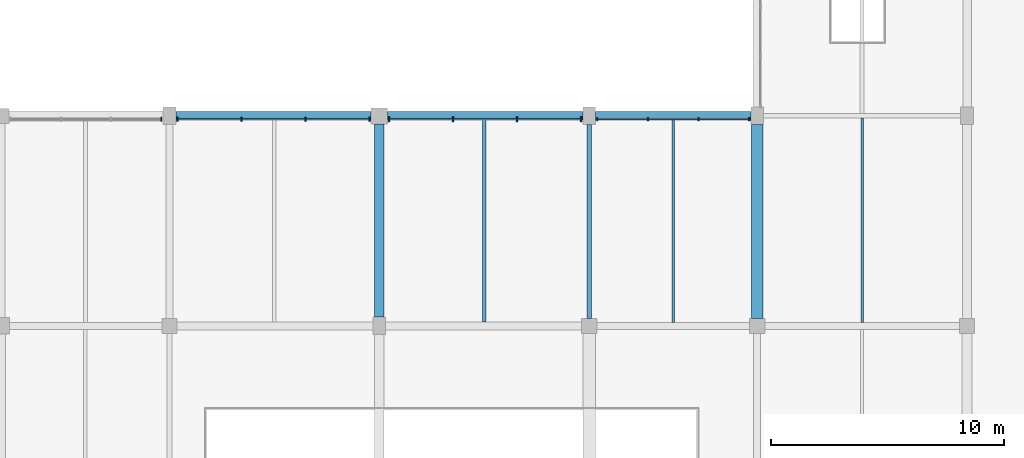
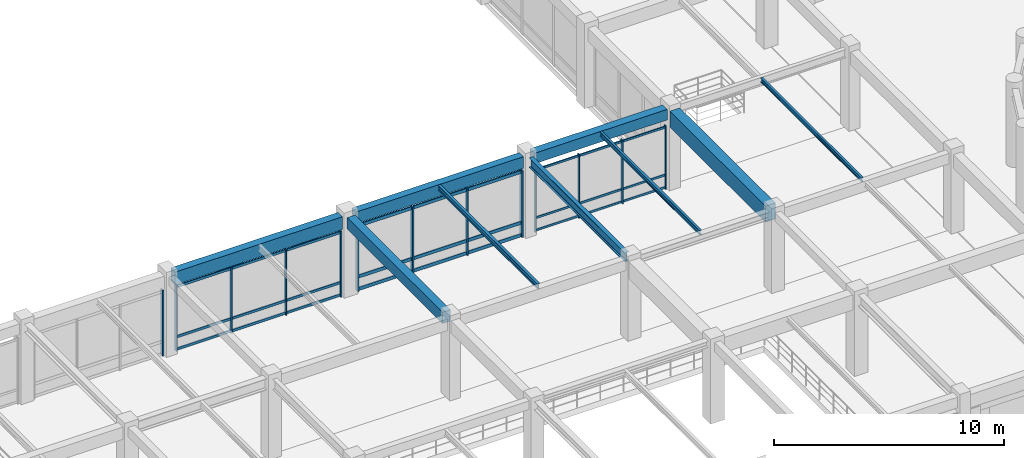
# One storey, part 13 of 62: 40 members, 9 beams, 4 elements without a shape of their own.
"""IFC4 building model written with IfcOpenShell, lengths in metres."""

from ifc_helpers import new_model, si_unit, direction, frame, origin, origin_2d, place, context, subcontext, project, spatial, rectangle, i_section, extrude, material, material_profile, profile_set, type_object, element, aggregate, save


model = new_model("IFC4")

# Units and contexts
model_context = context("Model", 3, precision=1e-05, world=origin(), true_north=direction((0.0, 1.0)))
body_context = subcontext(model_context, "Body", "Model", "MODEL_VIEW")
ifc_project = project(units=[si_unit("LENGTHUNIT", "METRE"), si_unit("AREAUNIT", "SQUARE_METRE"), si_unit("VOLUMEUNIT", "CUBIC_METRE"), si_unit("PLANEANGLEUNIT", "RADIAN"), si_unit("MASSUNIT", "GRAM", prefix="KILO")], contexts=[model_context])

# Site, building, storey
site_placement = place(None, origin())
site = spatial("IfcSite", under=ifc_project, at=site_placement, CompositionType="ELEMENT")
building_placement = place(site_placement, origin())
building = spatial("IfcBuilding", under=site, at=building_placement, Name="Clarverna Civic Hall", CompositionType="ELEMENT")
storey_placement = place(building_placement, frame((0.0, 0.0, 5.10009765625)))
storey = spatial("IfcBuildingStorey", under=building, at=storey_placement, Name="L01", CompositionType="ELEMENT", Elevation=5.10009765625)

# Beams
ifc_material_1 = material(Name="Concrete C35/45", Category="concrete")
ifc_material_profile_1 = material_profile(ifc_material_1, rectangle(XDim=0.5, YDim=0.85009765625, at=origin_2d()), Name="RC 500x850")
ifc_profile_set_1 = profile_set([ifc_material_profile_1], Name="Concrete C35/45")
beam_type_1 = type_object("IfcBeamType", Name="B-RC1", PredefinedType="BEAM", material=ifc_profile_set_1)
beam_1_placement = place(storey_placement, frame((57.60009765625, 62.925048828125, 3.794921875), z_axis=(0.0, 1.0, 0.0), x_axis=(-1.0, 0.0, 0.0)))
element("IfcBeam", 1, at=beam_1_placement, inside=storey, type_object=beam_type_1, Name="B-RC1-019", PredefinedType="BEAM", context=body_context, shape_type="SweptSolid", body=[
    extrude(rectangle(XDim=0.5, YDim=0.85009765625, at=origin_2d()), origin(), (0.0, 0.0, 1.0), 8.300048828125),
])
ifc_material_profile_2 = material_profile(ifc_material_1, rectangle(XDim=0.39990234375, YDim=0.60009765625, at=origin_2d()), Name="RC 400x600")
ifc_profile_set_2 = profile_set([ifc_material_profile_2], Name="Concrete C35/45")
beam_type_2 = type_object("IfcBeamType", Name="B-RC7", PredefinedType="BEAM", material=ifc_profile_set_2)
beam_2_placement = place(storey_placement, frame((41.39990234375, 62.97509765625, 3.919921875), z_axis=(0.0, 1.0, 0.0), x_axis=(-1.0, 0.0, 0.0)))
element("IfcBeam", 2, at=beam_2_placement, inside=storey, type_object=beam_type_2, Name="B-RC7-024", PredefinedType="BEAM", context=body_context, shape_type="SweptSolid", body=[
    extrude(rectangle(XDim=0.39990234375, YDim=0.60009765625, at=origin_2d()), origin(), (0.0, 0.0, 1.0), 8.27490234375),
])
ifc_material_profile_3 = material_profile(ifc_material_1, rectangle(XDim=0.3798828125, YDim=0.679931640625, at=origin_2d()), Name="RC 380x680")
ifc_profile_set_3 = profile_set([ifc_material_profile_3], Name="Concrete C35/45")
beam_type_3 = type_object("IfcBeamType", Name="B-SP2", PredefinedType="SPANDREL", material=ifc_profile_set_3)
beam_3_placement = place(storey_placement, frame((32.675048828125, 71.60009765625, 3.8798828125), z_axis=(1.0, 0.0, 0.0), x_axis=(0.0, 1.0, 0.0)))
element("IfcBeam", 3, at=beam_3_placement, inside=storey, type_object=beam_type_3, Name="B-SP2-060", PredefinedType="SPANDREL", context=body_context, shape_type="SweptSolid", body=[
    extrude(rectangle(XDim=0.3798828125, YDim=0.679931640625, at=origin_2d()), origin(), (0.0, 0.0, 1.0), 8.375),
])
ifc_material_profile_4 = material_profile(ifc_material_1, rectangle(XDim=0.360107421875, YDim=0.6201171875, at=origin_2d()), Name="RC 360x620")
ifc_profile_set_4 = profile_set([ifc_material_profile_4], Name="Concrete C35/45")
beam_type_4 = type_object("IfcBeamType", Name="B-SP3", PredefinedType="SPANDREL", material=ifc_profile_set_4)
beam_4_placement = place(storey_placement, frame((41.75, 71.60009765625, 3.909912109375), z_axis=(1.0, 0.0, 0.0), x_axis=(0.0, 1.0, 0.0)))
element("IfcBeam", 4, at=beam_4_placement, inside=storey, type_object=beam_type_4, Name="B-SP3-061", PredefinedType="SPANDREL", context=body_context, shape_type="SweptSolid", body=[
    extrude(rectangle(XDim=0.360107421875, YDim=0.6201171875, at=origin_2d()), origin(), (0.0, 0.0, 1.0), 8.375),
])
ifc_material_profile_5 = material_profile(ifc_material_1, rectangle(XDim=0.39990234375, YDim=0.56005859375, at=origin_2d()), Name="RC 400x560")
ifc_profile_set_5 = profile_set([ifc_material_profile_5], Name="Concrete C35/45")
beam_type_5 = type_object("IfcBeamType", Name="B-SP4", PredefinedType="SPANDREL", material=ifc_profile_set_5)
beam_5_placement = place(storey_placement, frame((50.675048828125, 71.60009765625, 3.93994140625), z_axis=(1.0, 0.0, 0.0), x_axis=(0.0, 1.0, 0.0)))
element("IfcBeam", 5, at=beam_5_placement, inside=storey, type_object=beam_type_5, Name="B-SP4-058", PredefinedType="SPANDREL", context=body_context, shape_type="SweptSolid", body=[
    extrude(rectangle(XDim=0.39990234375, YDim=0.56005859375, at=origin_2d()), origin(), (0.0, 0.0, 1.0), 6.64990234375),
])
ifc_material_2 = material(Name="Steel S355", Category="steel")
ifc_material_profile_6 = material_profile(ifc_material_2, i_section(OverallWidth=0.199951171875, OverallDepth=0.5, WebThickness=0.01025390625, FlangeThickness=0.01611328125, FilletRadius=0.02099609375, at=origin_2d()), Name="IPE 500")
ifc_profile_set_6 = profile_set([ifc_material_profile_6], Name="Steel S355")
beam_type_6 = type_object("IfcBeamType", Name="B-ST12", PredefinedType="BEAM", material=ifc_profile_set_6)
beam_6_placement = place(storey_placement, frame((50.39990234375, 62.925048828125, 3.969970703125), z_axis=(0.0, 1.0, 0.0), x_axis=(-1.0, 0.0, 0.0)))
element("IfcBeam", 6, at=beam_6_placement, inside=storey, type_object=beam_type_6, Name="B-ST12-008", PredefinedType="BEAM", context=body_context, shape_type="SweptSolid", body=[
    extrude(i_section(OverallWidth=0.199951171875, OverallDepth=0.5, WebThickness=0.01025390625, FlangeThickness=0.01611328125, FilletRadius=0.02099609375, at=origin_2d()), origin(), (0.0, 0.0, 1.0), 8.300048828125),
])

# Curtain wall, member
ifc_material_3 = material(Name="Anodised Bronze Architectural Aluminium", Category="aluminium")
curtain_wall_type = type_object("IfcCurtainWallType", Name="CW-04", PredefinedType="USERDEFINED", material=ifc_material_3)
curtain_wall_1_placement = place(storey_placement, origin())
curtain_wall_1 = element("IfcCurtainWall", 7, at=curtain_wall_1_placement, inside=storey, type_object=curtain_wall_type, Name="CW-04-019", ObjectType="UNITISED CURTAIN WALL", PredefinedType="USERDEFINED")
ifc_material_profile_7 = material_profile(ifc_material_3, rectangle(XDim=0.06005859375, YDim=0.179931640625, at=origin_2d()), Name="BRONZE 60x180")
ifc_profile_set_7 = profile_set([ifc_material_profile_7], Name="Anodised Bronze Architectural Aluminium")
member_type_1 = type_object("IfcMemberType", Name="CWM-01", PredefinedType="MULLION", material=ifc_profile_set_7)
member_1_placement = place(storey_placement, frame((32.052001953125, 71.4599609375, 0.0), z_axis=(0.0, 0.0, 1.0), x_axis=(1.0, 0.0, 0.0)))
member_1 = element("IfcMember", 8, at=member_1_placement, type_object=member_type_1, Name="CWM-01-062", PredefinedType="MULLION", context=body_context, shape_type="SweptSolid", body=[
    extrude(rectangle(XDim=0.06005859375, YDim=0.179931640625, at=origin_2d()), origin(), (0.0, 0.0, 1.0), 3.5),
])
aggregate(curtain_wall_1, [member_1])

# Curtain wall, members
curtain_wall_2_placement = place(storey_placement, origin())
curtain_wall_2 = element("IfcCurtainWall", 9, at=curtain_wall_2_placement, inside=storey, type_object=curtain_wall_type, Name="CW-04-020", ObjectType="UNITISED CURTAIN WALL", PredefinedType="USERDEFINED")
ifc_material_profile_8 = material_profile(ifc_material_3, rectangle(XDim=0.06005859375, YDim=0.159912109375, at=origin_2d()), Name="BRONZE 60x160")
ifc_profile_set_8 = profile_set([ifc_material_profile_8], Name="Anodised Bronze Architectural Aluminium")
member_type_2 = type_object("IfcMemberType", Name="CWM-02", PredefinedType="MULLION", material=ifc_profile_set_8)
member_2_placement = place(storey_placement, frame((32.748046875, 71.4599609375, 0.0), z_axis=(0.0, 0.0, 1.0), x_axis=(1.0, 0.0, 0.0)))
member_2 = element("IfcMember", 10, at=member_2_placement, type_object=member_type_2, Name="CWM-02-071", PredefinedType="MULLION", context=body_context, shape_type="SweptSolid", body=[
    extrude(rectangle(XDim=0.06005859375, YDim=0.159912109375, at=origin_2d()), origin(), (0.0, 0.0, 1.0), 3.5),
])
member_3_placement = place(storey_placement, frame((35.490966796875, 71.4599609375, 0.0), z_axis=(0.0, 0.0, 1.0), x_axis=(1.0, 0.0, 0.0)))
member_3 = element("IfcMember", 11, at=member_3_placement, type_object=member_type_2, Name="CWM-02-072", PredefinedType="MULLION", context=body_context, shape_type="SweptSolid", body=[
    extrude(rectangle(XDim=0.06005859375, YDim=0.159912109375, at=origin_2d()), origin(), (0.0, 0.0, 1.0), 3.5),
])
member_4_placement = place(storey_placement, frame((38.23388671875, 71.4599609375, 0.0), z_axis=(0.0, 0.0, 1.0), x_axis=(1.0, 0.0, 0.0)))
member_4 = element("IfcMember", 12, at=member_4_placement, type_object=member_type_2, Name="CWM-02-073", PredefinedType="MULLION", context=body_context, shape_type="SweptSolid", body=[
    extrude(rectangle(XDim=0.06005859375, YDim=0.159912109375, at=origin_2d()), origin(), (0.0, 0.0, 1.0), 3.5),
])
member_5_placement = place(storey_placement, frame((40.97705078125, 71.4599609375, 0.0), z_axis=(0.0, 0.0, 1.0), x_axis=(1.0, 0.0, 0.0)))
member_5 = element("IfcMember", 13, at=member_5_placement, type_object=member_type_2, Name="CWM-02-074", PredefinedType="MULLION", context=body_context, shape_type="SweptSolid", body=[
    extrude(rectangle(XDim=0.06005859375, YDim=0.159912109375, at=origin_2d()), origin(), (0.0, 0.0, 1.0), 3.5),
])

curtain_wall_3_placement = place(storey_placement, origin())
curtain_wall_3 = element("IfcCurtainWall", 14, at=curtain_wall_3_placement, inside=storey, type_object=curtain_wall_type, Name="CW-04-021", ObjectType="UNITISED CURTAIN WALL", PredefinedType="USERDEFINED")
ifc_material_profile_9 = material_profile(ifc_material_3, rectangle(XDim=0.06494140625, YDim=0.199951171875, at=origin_2d()), Name="BRONZE 65x200")
ifc_profile_set_9 = profile_set([ifc_material_profile_9], Name="Anodised Bronze Architectural Aluminium")
member_type_3 = type_object("IfcMemberType", Name="CWM-03", PredefinedType="MULLION", material=ifc_profile_set_9)
member_6_placement = place(storey_placement, frame((41.822998046875, 71.4599609375, 0.0), z_axis=(0.0, 0.0, 1.0), x_axis=(1.0, 0.0, 0.0)))
member_6 = element("IfcMember", 15, at=member_6_placement, type_object=member_type_3, Name="CWM-03-059", PredefinedType="MULLION", context=body_context, shape_type="SweptSolid", body=[
    extrude(rectangle(XDim=0.06494140625, YDim=0.199951171875, at=origin_2d()), origin(), (0.0, 0.0, 1.0), 3.539794921875),
])
member_7_placement = place(storey_placement, frame((44.56591796875, 71.4599609375, 0.0), z_axis=(0.0, 0.0, 1.0), x_axis=(1.0, 0.0, 0.0)))
member_7 = element("IfcMember", 16, at=member_7_placement, type_object=member_type_3, Name="CWM-03-060", PredefinedType="MULLION", context=body_context, shape_type="SweptSolid", body=[
    extrude(rectangle(XDim=0.06494140625, YDim=0.199951171875, at=origin_2d()), origin(), (0.0, 0.0, 1.0), 3.539794921875),
])
member_8_placement = place(storey_placement, frame((47.30908203125, 71.4599609375, 0.0), z_axis=(0.0, 0.0, 1.0), x_axis=(1.0, 0.0, 0.0)))
member_8 = element("IfcMember", 17, at=member_8_placement, type_object=member_type_3, Name="CWM-03-061", PredefinedType="MULLION", context=body_context, shape_type="SweptSolid", body=[
    extrude(rectangle(XDim=0.06494140625, YDim=0.199951171875, at=origin_2d()), origin(), (0.0, 0.0, 1.0), 3.539794921875),
])
member_9_placement = place(storey_placement, frame((50.052001953125, 71.4599609375, 0.0), z_axis=(0.0, 0.0, 1.0), x_axis=(1.0, 0.0, 0.0)))
member_9 = element("IfcMember", 18, at=member_9_placement, type_object=member_type_3, Name="CWM-03-062", PredefinedType="MULLION", context=body_context, shape_type="SweptSolid", body=[
    extrude(rectangle(XDim=0.06494140625, YDim=0.199951171875, at=origin_2d()), origin(), (0.0, 0.0, 1.0), 3.539794921875),
])

curtain_wall_4_placement = place(storey_placement, origin())
curtain_wall_4 = element("IfcCurtainWall", 19, at=curtain_wall_4_placement, inside=storey, type_object=curtain_wall_type, Name="CW-04-022", ObjectType="UNITISED CURTAIN WALL", PredefinedType="USERDEFINED")
ifc_material_profile_10 = material_profile(ifc_material_3, rectangle(XDim=0.054931640625, YDim=0.139892578125, at=origin_2d()), Name="BRONZE 55x140")
ifc_profile_set_10 = profile_set([ifc_material_profile_10], Name="Anodised Bronze Architectural Aluminium")
member_type_4 = type_object("IfcMemberType", Name="CWM-04", PredefinedType="MULLION", material=ifc_profile_set_10)
member_10_placement = place(storey_placement, frame((50.748046875, 71.4599609375, 0.0), z_axis=(0.0, 0.0, 1.0), x_axis=(1.0, 0.0, 0.0)))
member_10 = element("IfcMember", 20, at=member_10_placement, type_object=member_type_4, Name="CWM-04-073", PredefinedType="MULLION", context=body_context, shape_type="SweptSolid", body=[
    extrude(rectangle(XDim=0.054931640625, YDim=0.139892578125, at=origin_2d()), origin(), (0.0, 0.0, 1.0), 3.369873046875),
])
member_11_placement = place(storey_placement, frame((52.916015625, 71.4599609375, 0.0), z_axis=(0.0, 0.0, 1.0), x_axis=(1.0, 0.0, 0.0)))
member_11 = element("IfcMember", 21, at=member_11_placement, type_object=member_type_4, Name="CWM-04-074", PredefinedType="MULLION", context=body_context, shape_type="SweptSolid", body=[
    extrude(rectangle(XDim=0.054931640625, YDim=0.139892578125, at=origin_2d()), origin(), (0.0, 0.0, 1.0), 3.369873046875),
])
member_12_placement = place(storey_placement, frame((55.083984375, 71.4599609375, 0.0), z_axis=(0.0, 0.0, 1.0), x_axis=(1.0, 0.0, 0.0)))
member_12 = element("IfcMember", 22, at=member_12_placement, type_object=member_type_4, Name="CWM-04-075", PredefinedType="MULLION", context=body_context, shape_type="SweptSolid", body=[
    extrude(rectangle(XDim=0.054931640625, YDim=0.139892578125, at=origin_2d()), origin(), (0.0, 0.0, 1.0), 3.369873046875),
])
member_13_placement = place(storey_placement, frame((57.251953125, 71.4599609375, 0.0), z_axis=(0.0, 0.0, 1.0), x_axis=(1.0, 0.0, 0.0)))
member_13 = element("IfcMember", 23, at=member_13_placement, type_object=member_type_4, Name="CWM-04-076", PredefinedType="MULLION", context=body_context, shape_type="SweptSolid", body=[
    extrude(rectangle(XDim=0.054931640625, YDim=0.139892578125, at=origin_2d()), origin(), (0.0, 0.0, 1.0), 3.369873046875),
])

# Member
ifc_material_profile_11 = material_profile(ifc_material_3, rectangle(XDim=0.06005859375, YDim=0.1298828125, at=origin_2d()), Name="BRONZE 60x130")
ifc_profile_set_11 = profile_set([ifc_material_profile_11], Name="Anodised Bronze Architectural Aluminium")
member_type_5 = type_object("IfcMemberType", Name="CWT-02", PredefinedType="USERDEFINED", material=ifc_profile_set_11)
member_14_placement = place(storey_placement, frame((32.762939453125, 71.4599609375, 0.094970703125), z_axis=(1.0, 0.0, 0.0), x_axis=(0.0, 1.0, 0.0)))
member_14 = element("IfcMember", 24, at=member_14_placement, type_object=member_type_5, Name="CWT-02-145", ObjectType="TRANSOM", PredefinedType="USERDEFINED", context=body_context, shape_type="SweptSolid", body=[
    extrude(rectangle(XDim=0.06005859375, YDim=0.1298828125, at=origin_2d()), origin(), (0.0, 0.0, 1.0), 2.713134765625),
])

member_15_placement = place(storey_placement, frame((32.762939453125, 71.4599609375, 0.75), z_axis=(1.0, 0.0, 0.0), x_axis=(0.0, 1.0, 0.0)))
member_15 = element("IfcMember", 25, at=member_15_placement, type_object=member_type_5, Name="CWT-02-146", ObjectType="TRANSOM", PredefinedType="USERDEFINED", context=body_context, shape_type="SweptSolid", body=[
    extrude(rectangle(XDim=0.06005859375, YDim=0.1298828125, at=origin_2d()), origin(), (0.0, 0.0, 1.0), 2.713134765625),
])

member_16_placement = place(storey_placement, frame((32.762939453125, 71.4599609375, 3.40478515625), z_axis=(1.0, 0.0, 0.0), x_axis=(0.0, 1.0, 0.0)))
member_16 = element("IfcMember", 26, at=member_16_placement, type_object=member_type_5, Name="CWT-02-147", ObjectType="TRANSOM", PredefinedType="USERDEFINED", context=body_context, shape_type="SweptSolid", body=[
    extrude(rectangle(XDim=0.06005859375, YDim=0.1298828125, at=origin_2d()), origin(), (0.0, 0.0, 1.0), 2.713134765625),
])

member_17_placement = place(storey_placement, frame((35.506103515625, 71.4599609375, 0.094970703125), z_axis=(1.0, 0.0, 0.0), x_axis=(0.0, 1.0, 0.0)))
member_17 = element("IfcMember", 27, at=member_17_placement, type_object=member_type_5, Name="CWT-02-148", ObjectType="TRANSOM", PredefinedType="USERDEFINED", context=body_context, shape_type="SweptSolid", body=[
    extrude(rectangle(XDim=0.06005859375, YDim=0.1298828125, at=origin_2d()), origin(), (0.0, 0.0, 1.0), 2.712890625),
])

member_18_placement = place(storey_placement, frame((35.506103515625, 71.4599609375, 0.75), z_axis=(1.0, 0.0, 0.0), x_axis=(0.0, 1.0, 0.0)))
member_18 = element("IfcMember", 28, at=member_18_placement, type_object=member_type_5, Name="CWT-02-149", ObjectType="TRANSOM", PredefinedType="USERDEFINED", context=body_context, shape_type="SweptSolid", body=[
    extrude(rectangle(XDim=0.06005859375, YDim=0.1298828125, at=origin_2d()), origin(), (0.0, 0.0, 1.0), 2.712890625),
])

member_19_placement = place(storey_placement, frame((35.506103515625, 71.4599609375, 3.40478515625), z_axis=(1.0, 0.0, 0.0), x_axis=(0.0, 1.0, 0.0)))
member_19 = element("IfcMember", 29, at=member_19_placement, type_object=member_type_5, Name="CWT-02-150", ObjectType="TRANSOM", PredefinedType="USERDEFINED", context=body_context, shape_type="SweptSolid", body=[
    extrude(rectangle(XDim=0.06005859375, YDim=0.1298828125, at=origin_2d()), origin(), (0.0, 0.0, 1.0), 2.712890625),
])

member_20_placement = place(storey_placement, frame((38.2490234375, 71.4599609375, 0.094970703125), z_axis=(1.0, 0.0, 0.0), x_axis=(0.0, 1.0, 0.0)))
member_20 = element("IfcMember", 30, at=member_20_placement, type_object=member_type_5, Name="CWT-02-151", ObjectType="TRANSOM", PredefinedType="USERDEFINED", context=body_context, shape_type="SweptSolid", body=[
    extrude(rectangle(XDim=0.06005859375, YDim=0.1298828125, at=origin_2d()), origin(), (0.0, 0.0, 1.0), 2.712890625),
])

member_21_placement = place(storey_placement, frame((38.2490234375, 71.4599609375, 0.75), z_axis=(1.0, 0.0, 0.0), x_axis=(0.0, 1.0, 0.0)))
member_21 = element("IfcMember", 31, at=member_21_placement, type_object=member_type_5, Name="CWT-02-152", ObjectType="TRANSOM", PredefinedType="USERDEFINED", context=body_context, shape_type="SweptSolid", body=[
    extrude(rectangle(XDim=0.06005859375, YDim=0.1298828125, at=origin_2d()), origin(), (0.0, 0.0, 1.0), 2.712890625),
])

member_22_placement = place(storey_placement, frame((38.2490234375, 71.4599609375, 3.40478515625), z_axis=(1.0, 0.0, 0.0), x_axis=(0.0, 1.0, 0.0)))
member_22 = element("IfcMember", 32, at=member_22_placement, type_object=member_type_5, Name="CWT-02-153", ObjectType="TRANSOM", PredefinedType="USERDEFINED", context=body_context, shape_type="SweptSolid", body=[
    extrude(rectangle(XDim=0.06005859375, YDim=0.1298828125, at=origin_2d()), origin(), (0.0, 0.0, 1.0), 2.712890625),
])

aggregate(curtain_wall_2, [member_2, member_3, member_4, member_5, member_14, member_15, member_16, member_17, member_18, member_19, member_20, member_21, member_22])

ifc_material_profile_12 = material_profile(ifc_material_3, rectangle(XDim=0.06494140625, YDim=0.169921875, at=origin_2d()), Name="BRONZE 65x170")
ifc_profile_set_12 = profile_set([ifc_material_profile_12], Name="Anodised Bronze Architectural Aluminium")
member_type_6 = type_object("IfcMemberType", Name="CWT-03", PredefinedType="USERDEFINED", material=ifc_profile_set_12)
member_23_placement = place(storey_placement, frame((41.837890625, 71.4599609375, 0.094970703125), z_axis=(1.0, 0.0, 0.0), x_axis=(0.0, 1.0, 0.0)))
member_23 = element("IfcMember", 33, at=member_23_placement, type_object=member_type_6, Name="CWT-03-121", ObjectType="TRANSOM", PredefinedType="USERDEFINED", context=body_context, shape_type="SweptSolid", body=[
    extrude(rectangle(XDim=0.06494140625, YDim=0.169921875, at=origin_2d()), origin(), (0.0, 0.0, 1.0), 2.713134765625),
])

member_24_placement = place(storey_placement, frame((41.837890625, 71.4599609375, 0.75), z_axis=(1.0, 0.0, 0.0), x_axis=(0.0, 1.0, 0.0)))
member_24 = element("IfcMember", 34, at=member_24_placement, type_object=member_type_6, Name="CWT-03-122", ObjectType="TRANSOM", PredefinedType="USERDEFINED", context=body_context, shape_type="SweptSolid", body=[
    extrude(rectangle(XDim=0.06494140625, YDim=0.169921875, at=origin_2d()), origin(), (0.0, 0.0, 1.0), 2.713134765625),
])

member_25_placement = place(storey_placement, frame((41.837890625, 71.4599609375, 3.44482421875), z_axis=(1.0, 0.0, 0.0), x_axis=(0.0, 1.0, 0.0)))
member_25 = element("IfcMember", 35, at=member_25_placement, type_object=member_type_6, Name="CWT-03-123", ObjectType="TRANSOM", PredefinedType="USERDEFINED", context=body_context, shape_type="SweptSolid", body=[
    extrude(rectangle(XDim=0.06494140625, YDim=0.169921875, at=origin_2d()), origin(), (0.0, 0.0, 1.0), 2.713134765625),
])

member_26_placement = place(storey_placement, frame((44.5810546875, 71.4599609375, 0.094970703125), z_axis=(1.0, 0.0, 0.0), x_axis=(0.0, 1.0, 0.0)))
member_26 = element("IfcMember", 36, at=member_26_placement, type_object=member_type_6, Name="CWT-03-124", ObjectType="TRANSOM", PredefinedType="USERDEFINED", context=body_context, shape_type="SweptSolid", body=[
    extrude(rectangle(XDim=0.06494140625, YDim=0.169921875, at=origin_2d()), origin(), (0.0, 0.0, 1.0), 2.712890625),
])

member_27_placement = place(storey_placement, frame((44.5810546875, 71.4599609375, 0.75), z_axis=(1.0, 0.0, 0.0), x_axis=(0.0, 1.0, 0.0)))
member_27 = element("IfcMember", 37, at=member_27_placement, type_object=member_type_6, Name="CWT-03-125", ObjectType="TRANSOM", PredefinedType="USERDEFINED", context=body_context, shape_type="SweptSolid", body=[
    extrude(rectangle(XDim=0.06494140625, YDim=0.169921875, at=origin_2d()), origin(), (0.0, 0.0, 1.0), 2.712890625),
])

member_28_placement = place(storey_placement, frame((44.5810546875, 71.4599609375, 3.44482421875), z_axis=(1.0, 0.0, 0.0), x_axis=(0.0, 1.0, 0.0)))
member_28 = element("IfcMember", 38, at=member_28_placement, type_object=member_type_6, Name="CWT-03-126", ObjectType="TRANSOM", PredefinedType="USERDEFINED", context=body_context, shape_type="SweptSolid", body=[
    extrude(rectangle(XDim=0.06494140625, YDim=0.169921875, at=origin_2d()), origin(), (0.0, 0.0, 1.0), 2.712890625),
])

member_29_placement = place(storey_placement, frame((47.323974609375, 71.4599609375, 0.094970703125), z_axis=(1.0, 0.0, 0.0), x_axis=(0.0, 1.0, 0.0)))
member_29 = element("IfcMember", 39, at=member_29_placement, type_object=member_type_6, Name="CWT-03-127", ObjectType="TRANSOM", PredefinedType="USERDEFINED", context=body_context, shape_type="SweptSolid", body=[
    extrude(rectangle(XDim=0.06494140625, YDim=0.169921875, at=origin_2d()), origin(), (0.0, 0.0, 1.0), 2.713134765625),
])

member_30_placement = place(storey_placement, frame((47.323974609375, 71.4599609375, 0.75), z_axis=(1.0, 0.0, 0.0), x_axis=(0.0, 1.0, 0.0)))
member_30 = element("IfcMember", 40, at=member_30_placement, type_object=member_type_6, Name="CWT-03-128", ObjectType="TRANSOM", PredefinedType="USERDEFINED", context=body_context, shape_type="SweptSolid", body=[
    extrude(rectangle(XDim=0.06494140625, YDim=0.169921875, at=origin_2d()), origin(), (0.0, 0.0, 1.0), 2.713134765625),
])

member_31_placement = place(storey_placement, frame((47.323974609375, 71.4599609375, 3.44482421875), z_axis=(1.0, 0.0, 0.0), x_axis=(0.0, 1.0, 0.0)))
member_31 = element("IfcMember", 41, at=member_31_placement, type_object=member_type_6, Name="CWT-03-129", ObjectType="TRANSOM", PredefinedType="USERDEFINED", context=body_context, shape_type="SweptSolid", body=[
    extrude(rectangle(XDim=0.06494140625, YDim=0.169921875, at=origin_2d()), origin(), (0.0, 0.0, 1.0), 2.713134765625),
])

aggregate(curtain_wall_3, [member_6, member_7, member_8, member_9, member_23, member_24, member_25, member_26, member_27, member_28, member_29, member_30, member_31])

ifc_material_profile_13 = material_profile(ifc_material_3, rectangle(XDim=0.054931640625, YDim=0.110107421875, at=origin_2d()), Name="BRONZE 55x110")
ifc_profile_set_13 = profile_set([ifc_material_profile_13], Name="Anodised Bronze Architectural Aluminium")
member_type_7 = type_object("IfcMemberType", Name="CWT-04", PredefinedType="USERDEFINED", material=ifc_profile_set_13)
member_32_placement = place(storey_placement, frame((50.762939453125, 71.4599609375, 0.094970703125), z_axis=(1.0, 0.0, 0.0), x_axis=(0.0, 1.0, 0.0)))
member_32 = element("IfcMember", 42, at=member_32_placement, type_object=member_type_7, Name="CWT-04-151", ObjectType="TRANSOM", PredefinedType="USERDEFINED", context=body_context, shape_type="SweptSolid", body=[
    extrude(rectangle(XDim=0.054931640625, YDim=0.110107421875, at=origin_2d()), origin(), (0.0, 0.0, 1.0), 2.137939453125),
])

member_33_placement = place(storey_placement, frame((50.762939453125, 71.4599609375, 0.75), z_axis=(1.0, 0.0, 0.0), x_axis=(0.0, 1.0, 0.0)))
member_33 = element("IfcMember", 43, at=member_33_placement, type_object=member_type_7, Name="CWT-04-152", ObjectType="TRANSOM", PredefinedType="USERDEFINED", context=body_context, shape_type="SweptSolid", body=[
    extrude(rectangle(XDim=0.054931640625, YDim=0.110107421875, at=origin_2d()), origin(), (0.0, 0.0, 1.0), 2.137939453125),
])

member_34_placement = place(storey_placement, frame((50.762939453125, 71.4599609375, 3.27490234375), z_axis=(1.0, 0.0, 0.0), x_axis=(0.0, 1.0, 0.0)))
member_34 = element("IfcMember", 44, at=member_34_placement, type_object=member_type_7, Name="CWT-04-153", ObjectType="TRANSOM", PredefinedType="USERDEFINED", context=body_context, shape_type="SweptSolid", body=[
    extrude(rectangle(XDim=0.054931640625, YDim=0.110107421875, at=origin_2d()), origin(), (0.0, 0.0, 1.0), 2.137939453125),
])

member_35_placement = place(storey_placement, frame((52.930908203125, 71.4599609375, 0.094970703125), z_axis=(1.0, 0.0, 0.0), x_axis=(0.0, 1.0, 0.0)))
member_35 = element("IfcMember", 45, at=member_35_placement, type_object=member_type_7, Name="CWT-04-154", ObjectType="TRANSOM", PredefinedType="USERDEFINED", context=body_context, shape_type="SweptSolid", body=[
    extrude(rectangle(XDim=0.054931640625, YDim=0.110107421875, at=origin_2d()), origin(), (0.0, 0.0, 1.0), 2.13818359375),
])

member_36_placement = place(storey_placement, frame((52.930908203125, 71.4599609375, 0.75), z_axis=(1.0, 0.0, 0.0), x_axis=(0.0, 1.0, 0.0)))
member_36 = element("IfcMember", 46, at=member_36_placement, type_object=member_type_7, Name="CWT-04-155", ObjectType="TRANSOM", PredefinedType="USERDEFINED", context=body_context, shape_type="SweptSolid", body=[
    extrude(rectangle(XDim=0.054931640625, YDim=0.110107421875, at=origin_2d()), origin(), (0.0, 0.0, 1.0), 2.13818359375),
])

member_37_placement = place(storey_placement, frame((52.930908203125, 71.4599609375, 3.27490234375), z_axis=(1.0, 0.0, 0.0), x_axis=(0.0, 1.0, 0.0)))
member_37 = element("IfcMember", 47, at=member_37_placement, type_object=member_type_7, Name="CWT-04-156", ObjectType="TRANSOM", PredefinedType="USERDEFINED", context=body_context, shape_type="SweptSolid", body=[
    extrude(rectangle(XDim=0.054931640625, YDim=0.110107421875, at=origin_2d()), origin(), (0.0, 0.0, 1.0), 2.13818359375),
])

member_38_placement = place(storey_placement, frame((55.09912109375, 71.4599609375, 0.094970703125), z_axis=(1.0, 0.0, 0.0), x_axis=(0.0, 1.0, 0.0)))
member_38 = element("IfcMember", 48, at=member_38_placement, type_object=member_type_7, Name="CWT-04-157", ObjectType="TRANSOM", PredefinedType="USERDEFINED", context=body_context, shape_type="SweptSolid", body=[
    extrude(rectangle(XDim=0.054931640625, YDim=0.110107421875, at=origin_2d()), origin(), (0.0, 0.0, 1.0), 2.137939453125),
])

member_39_placement = place(storey_placement, frame((55.09912109375, 71.4599609375, 0.75), z_axis=(1.0, 0.0, 0.0), x_axis=(0.0, 1.0, 0.0)))
member_39 = element("IfcMember", 49, at=member_39_placement, type_object=member_type_7, Name="CWT-04-158", ObjectType="TRANSOM", PredefinedType="USERDEFINED", context=body_context, shape_type="SweptSolid", body=[
    extrude(rectangle(XDim=0.054931640625, YDim=0.110107421875, at=origin_2d()), origin(), (0.0, 0.0, 1.0), 2.137939453125),
])

member_40_placement = place(storey_placement, frame((55.09912109375, 71.4599609375, 3.27490234375), z_axis=(1.0, 0.0, 0.0), x_axis=(0.0, 1.0, 0.0)))
member_40 = element("IfcMember", 50, at=member_40_placement, type_object=member_type_7, Name="CWT-04-159", ObjectType="TRANSOM", PredefinedType="USERDEFINED", context=body_context, shape_type="SweptSolid", body=[
    extrude(rectangle(XDim=0.054931640625, YDim=0.110107421875, at=origin_2d()), origin(), (0.0, 0.0, 1.0), 2.137939453125),
])

aggregate(curtain_wall_4, [member_10, member_11, member_12, member_13, member_32, member_33, member_34, member_35, member_36, member_37, member_38, member_39, member_40])

# Beams
ifc_material_profile_14 = material_profile(ifc_material_2, i_section(OverallWidth=0.135009765625, OverallDepth=0.27001953125, WebThickness=0.006591796875, FlangeThickness=0.01025390625, FilletRadius=0.014892578125, at=origin_2d()), Name="IPE 270")
ifc_profile_set_14 = profile_set([ifc_material_profile_14], Name="Steel S355")
beam_type_7 = type_object("IfcBeamType", Name="J-ST4", PredefinedType="JOIST", material=ifc_profile_set_14)
beam_7_placement = place(storey_placement, frame((45.89990234375, 62.77490234375, 4.0849609375), z_axis=(0.0, 1.0, 0.0), x_axis=(-1.0, 0.0, 0.0)))
element("IfcBeam", 51, at=beam_7_placement, inside=storey, type_object=beam_type_7, Name="J-ST4-042", PredefinedType="JOIST", context=body_context, shape_type="SweptSolid", body=[
    extrude(i_section(OverallWidth=0.135009765625, OverallDepth=0.27001953125, WebThickness=0.006591796875, FlangeThickness=0.01025390625, FilletRadius=0.014892578125, at=origin_2d()), origin(), (0.0, 0.0, 1.0), 8.64501953125),
])
ifc_material_profile_15 = material_profile(ifc_material_2, i_section(OverallWidth=0.1201171875, OverallDepth=0.239990234375, WebThickness=0.006103515625, FlangeThickness=0.009765625, FilletRadius=0.014892578125, at=origin_2d()), Name="IPE 240")
ifc_profile_set_15 = profile_set([ifc_material_profile_15], Name="Steel S355")
beam_type_8 = type_object("IfcBeamType", Name="J-ST5", PredefinedType="JOIST", material=ifc_profile_set_15)
beam_8_placement = place(storey_placement, frame((54.0, 62.75, 4.099853515625), z_axis=(0.0, 1.0, 0.0), x_axis=(-1.0, 0.0, 0.0)))
element("IfcBeam", 52, at=beam_8_placement, inside=storey, type_object=beam_type_8, Name="J-ST5-040", PredefinedType="JOIST", context=body_context, shape_type="SweptSolid", body=[
    extrude(i_section(OverallWidth=0.1201171875, OverallDepth=0.239990234375, WebThickness=0.006103515625, FlangeThickness=0.009765625, FilletRadius=0.014892578125, at=origin_2d()), origin(), (0.0, 0.0, 1.0), 8.64990234375),
])
ifc_material_profile_16 = material_profile(ifc_material_2, i_section(OverallWidth=0.110107421875, OverallDepth=0.219970703125, WebThickness=0.005859375, FlangeThickness=0.00927734375, FilletRadius=0.011962890625, at=origin_2d()), Name="IPE 220")
ifc_profile_set_16 = profile_set([ifc_material_profile_16], Name="Steel S355")
beam_type_9 = type_object("IfcBeamType", Name="J-ST6", PredefinedType="JOIST", material=ifc_profile_set_16)
beam_9_placement = place(storey_placement, frame((62.10009765625, 62.75, 4.06982421875), z_axis=(0.0, 1.0, 0.0), x_axis=(-1.0, 0.0, 0.0)))
element("IfcBeam", 53, at=beam_9_placement, inside=storey, type_object=beam_type_9, Name="J-ST6-041", PredefinedType="JOIST", context=body_context, shape_type="SweptSolid", body=[
    extrude(i_section(OverallWidth=0.110107421875, OverallDepth=0.219970703125, WebThickness=0.005859375, FlangeThickness=0.00927734375, FilletRadius=0.011962890625, at=origin_2d()), origin(), (0.0, 0.0, 1.0), 8.7548828125),
])

save(model, "model.ifc")
